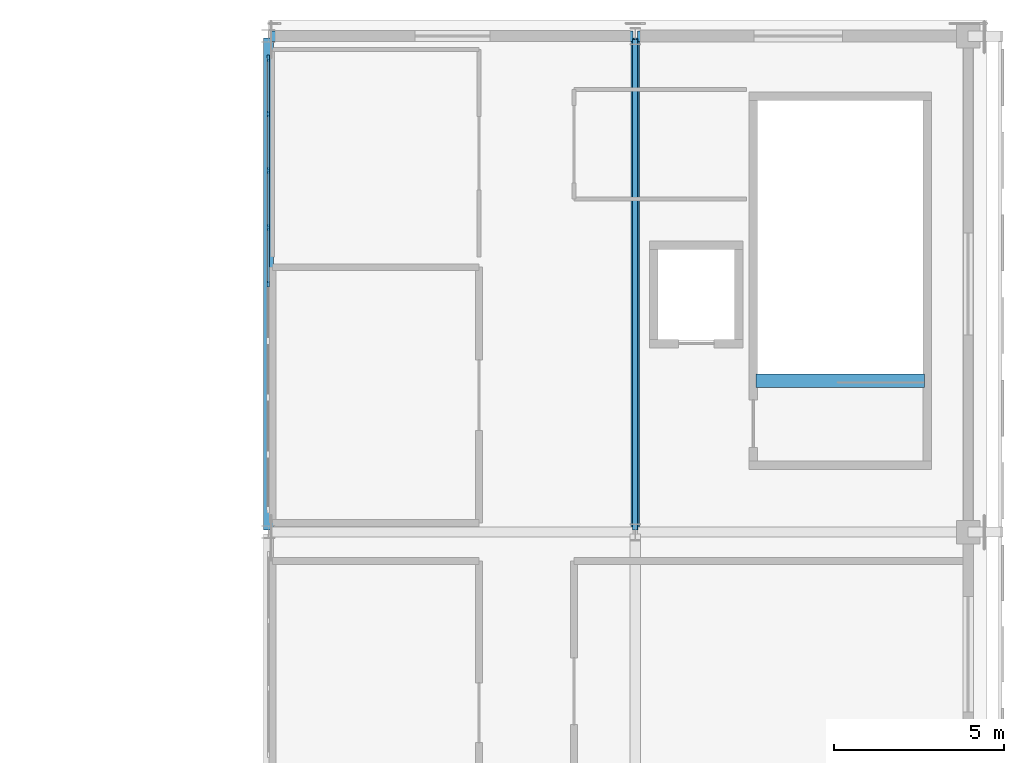
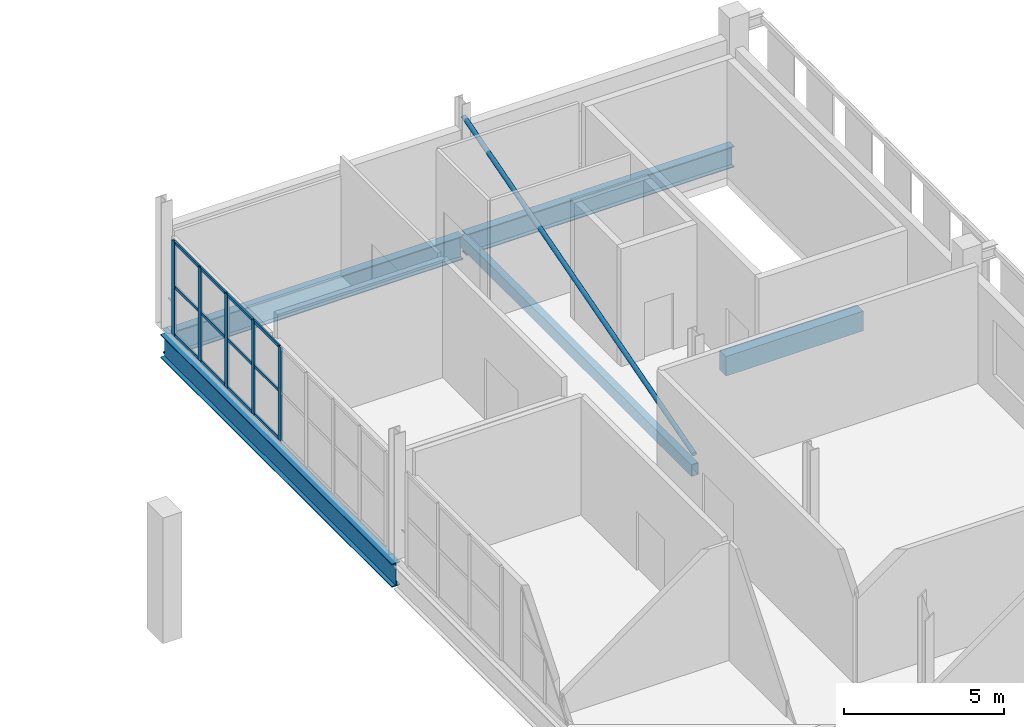
# One storey, part 22 of 51: 18 members, 5 beams, 1 element without a shape of its own.
"""IFC4 building model written with IfcOpenShell, lengths in metres."""

from ifc_helpers import new_model, si_unit, direction, frame, origin, origin_2d, place, context, subcontext, project, spatial, rectangle, hollow_rectangle, hollow_circle, i_section, extrude, material, material_profile, profile_set, type_object, element, aggregate, save


model = new_model("IFC4")

# Units and contexts
model_context = context("Model", 3, precision=1e-05, world=origin(), true_north=direction((0.0, 1.0)))
body_context = subcontext(model_context, "Body", "Model", "MODEL_VIEW")
ifc_project = project(units=[si_unit("LENGTHUNIT", "METRE"), si_unit("AREAUNIT", "SQUARE_METRE"), si_unit("VOLUMEUNIT", "CUBIC_METRE"), si_unit("PLANEANGLEUNIT", "RADIAN"), si_unit("MASSUNIT", "GRAM", prefix="KILO")], contexts=[model_context])

# Site, building, storey
site_placement = place(None, origin())
site = spatial("IfcSite", under=ifc_project, at=site_placement, CompositionType="ELEMENT")
building_placement = place(site_placement, origin())
building = spatial("IfcBuilding", under=site, at=building_placement, Name="Koshinbarg Plaza Stadium", CompositionType="ELEMENT")
storey_placement = place(building_placement, frame((0.0, 0.0, 24.60009765625)))
storey = spatial("IfcBuildingStorey", under=building, at=storey_placement, Name="L05", CompositionType="ELEMENT", Elevation=24.60009765625)

# Beams
ifc_material_1 = material(Name="Concrete C40/50", Category="concrete")
ifc_material_profile_1 = material_profile(ifc_material_1, rectangle(XDim=0.39990234375, YDim=0.75, at=origin_2d()), Name="RC 400x750")
ifc_profile_set_1 = profile_set([ifc_material_profile_1], Name="Concrete C40/50")
beam_type_1 = type_object("IfcBeamType", Name="BM-RCG-03", PredefinedType="USERDEFINED", material=ifc_profile_set_1)
beam_1_placement = place(storey_placement, frame((212.14990234375, 116.360107421875, -0.375), z_axis=(1.0, 0.0, 0.0), x_axis=(0.0, 1.0, 0.0)))
element("IfcBeam", 1, at=beam_1_placement, inside=storey, type_object=beam_type_1, Name="L05 stair landing header beam C10", ObjectType="GIRDER", PredefinedType="USERDEFINED", context=body_context, shape_type="SweptSolid", body=[
    extrude(rectangle(XDim=0.39990234375, YDim=0.75, at=origin_2d()), origin(), (0.0, 0.0, 1.0), 4.97021484375),
])
ifc_material_2 = material(Name="Steel S355", Category="steel")
ifc_material_profile_2 = material_profile(ifc_material_2, i_section(OverallWidth=0.300048828125, OverallDepth=0.800048828125, WebThickness=0.017578125, FlangeThickness=0.032958984375, at=origin_2d()), Name="HEB 800")
ifc_profile_set_2 = profile_set([ifc_material_profile_2], Name="Steel S355")
beam_type_2 = type_object("IfcBeamType", Name="BM-SGIR-04", PredefinedType="USERDEFINED", material=ifc_profile_set_2)
beam_2_placement = place(storey_placement, frame((208.659912109375, 126.5, -0.7001953125), z_axis=(1.0, 0.0, 0.0), x_axis=(0.0, 1.0, 0.0)))
element("IfcBeam", 2, at=beam_2_placement, inside=storey, type_object=beam_type_2, Name="L05 X girder R/20-21", ObjectType="GIRDER", PredefinedType="USERDEFINED", context=body_context, shape_type="SweptSolid", body=[
    extrude(i_section(OverallWidth=0.300048828125, OverallDepth=0.800048828125, WebThickness=0.017578125, FlangeThickness=0.032958984375, at=origin_2d()), origin(), (0.0, 0.0, 1.0), 9.68017578125),
])
ifc_material_profile_3 = material_profile(ifc_material_2, i_section(OverallWidth=0.300048828125, OverallDepth=0.89990234375, WebThickness=0.0185546875, FlangeThickness=0.034912109375, at=origin_2d()), Name="HEB 900")
ifc_profile_set_3 = profile_set([ifc_material_profile_3], Name="Steel S355")
beam_type_3 = type_object("IfcBeamType", Name="BM-SGIR-05", PredefinedType="USERDEFINED", material=ifc_profile_set_3)
beam_3_placement = place(storey_placement, frame((197.860107421875, 126.5, -0.75), z_axis=(1.0, 0.0, 0.0), x_axis=(0.0, 1.0, 0.0)))
element("IfcBeam", 3, at=beam_3_placement, inside=storey, type_object=beam_type_3, Name="L05 X girder R/19-20", ObjectType="GIRDER", PredefinedType="USERDEFINED", context=body_context, shape_type="SweptSolid", body=[
    extrude(i_section(OverallWidth=0.300048828125, OverallDepth=0.89990234375, WebThickness=0.0185546875, FlangeThickness=0.034912109375, at=origin_2d()), origin(), (0.0, 0.0, 1.0), 10.679931640625),
])
beam_4_placement = place(storey_placement, frame((197.800048828125, 111.9599609375, -0.75), z_axis=(0.0, 1.0, 0.0), x_axis=(-1.0, 0.0, 0.0)))
element("IfcBeam", 4, at=beam_4_placement, inside=storey, type_object=beam_type_3, Name="L05 Y girder 19/Q-R", ObjectType="GIRDER", PredefinedType="USERDEFINED", context=body_context, shape_type="SweptSolid", body=[
    extrude(i_section(OverallWidth=0.300048828125, OverallDepth=0.89990234375, WebThickness=0.0185546875, FlangeThickness=0.034912109375, at=origin_2d()), origin(), (0.0, 0.0, 1.0), 14.47998046875),
])
ifc_material_profile_4 = material_profile(ifc_material_2, hollow_rectangle(XDim=0.25, YDim=0.449951171875, WallThickness=0.01611328125, at=origin_2d()), Name="RHS 450x250x16")
ifc_profile_set_4 = profile_set([ifc_material_profile_4], Name="Steel S355")
beam_type_4 = type_object("IfcBeamType", Name="BM-SGIR-06", PredefinedType="USERDEFINED", material=ifc_profile_set_4)
beam_5_placement = place(storey_placement, frame((208.60009765625, 111.9599609375, -0.525146484375), z_axis=(0.0, 1.0, 0.0), x_axis=(-1.0, 0.0, 0.0)))
element("IfcBeam", 5, at=beam_5_placement, inside=storey, type_object=beam_type_4, Name="L05 Y girder 20/Q-R", ObjectType="GIRDER", PredefinedType="USERDEFINED", context=body_context, shape_type="SweptSolid", body=[
    extrude(hollow_rectangle(XDim=0.25, YDim=0.449951171875, WallThickness=0.01611328125, at=origin_2d()), origin(), (0.0, 0.0, 1.0), 14.47998046875),
])

# Curtain wall, members
ifc_material_3 = material(Name="Thermally broken anodised aluminium and low-E double glazing", Category="aluminium")
curtain_wall_type = type_object("IfcCurtainWallType", Name="CW-SYS-07", PredefinedType="NOTDEFINED", material=ifc_material_3)
curtain_wall_placement = place(storey_placement, origin())
curtain_wall = element("IfcCurtainWall", 6, at=curtain_wall_placement, inside=storey, type_object=curtain_wall_type, Name="L05 unitised curtain wall CW-L05-150", PredefinedType="NOTDEFINED")
ifc_material_4 = material(Name="Anodised aluminium mullion", Category="aluminium")
ifc_material_profile_5 = material_profile(ifc_material_4, rectangle(XDim=0.070068359375, YDim=0.179931640625, at=origin_2d()), Name="ALU 70x180")
ifc_profile_set_5 = profile_set([ifc_material_profile_5], Name="Anodised aluminium mullion")
member_type_1 = type_object("IfcMemberType", Name="CW-MUL-03", PredefinedType="MULLION", material=ifc_profile_set_5)
member_1_placement = place(storey_placement, frame((197.800048828125, 119.199951171875, 0.0), z_axis=(0.0, 0.0, 1.0), x_axis=(-1.0, 0.0, 0.0)))
member_1 = element("IfcMember", 7, at=member_1_placement, type_object=member_type_1, Name="CW07 mullion 5", PredefinedType="MULLION", context=body_context, shape_type="SweptSolid", body=[
    extrude(rectangle(XDim=0.070068359375, YDim=0.179931640625, at=origin_2d()), origin(), (0.0, 0.0, 1.0), 3.579833984375),
])
member_2_placement = place(storey_placement, frame((197.800048828125, 120.8701171875, 0.0), z_axis=(0.0, 0.0, 1.0), x_axis=(-1.0, 0.0, 0.0)))
member_2 = element("IfcMember", 8, at=member_2_placement, type_object=member_type_1, Name="CW07 mullion 6", PredefinedType="MULLION", context=body_context, shape_type="SweptSolid", body=[
    extrude(rectangle(XDim=0.070068359375, YDim=0.179931640625, at=origin_2d()), origin(), (0.0, 0.0, 1.0), 3.579833984375),
])
member_3_placement = place(storey_placement, frame((197.800048828125, 122.5400390625, 0.0), z_axis=(0.0, 0.0, 1.0), x_axis=(-1.0, 0.0, 0.0)))
member_3 = element("IfcMember", 9, at=member_3_placement, type_object=member_type_1, Name="CW07 mullion 7", PredefinedType="MULLION", context=body_context, shape_type="SweptSolid", body=[
    extrude(rectangle(XDim=0.070068359375, YDim=0.179931640625, at=origin_2d()), origin(), (0.0, 0.0, 1.0), 3.579833984375),
])
member_4_placement = place(storey_placement, frame((197.800048828125, 124.2099609375, 0.0), z_axis=(0.0, 0.0, 1.0), x_axis=(-1.0, 0.0, 0.0)))
member_4 = element("IfcMember", 10, at=member_4_placement, type_object=member_type_1, Name="CW07 mullion 8", PredefinedType="MULLION", context=body_context, shape_type="SweptSolid", body=[
    extrude(rectangle(XDim=0.070068359375, YDim=0.179931640625, at=origin_2d()), origin(), (0.0, 0.0, 1.0), 3.579833984375),
])
member_5_placement = place(storey_placement, frame((197.800048828125, 125.85009765625, 0.0), z_axis=(0.0, 0.0, 1.0), x_axis=(-1.0, 0.0, 0.0)))
member_5 = element("IfcMember", 11, at=member_5_placement, type_object=member_type_1, Name="CW07 mullion 9", PredefinedType="MULLION", context=body_context, shape_type="SweptSolid", body=[
    extrude(rectangle(XDim=0.070068359375, YDim=0.179931640625, at=origin_2d()), origin(), (0.0, 0.0, 1.0), 3.579833984375),
])
ifc_material_5 = material(Name="Anodised aluminium transom", Category="aluminium")
ifc_material_profile_6 = material_profile(ifc_material_5, rectangle(XDim=0.06005859375, YDim=0.110107421875, at=origin_2d()), Name="ALU 60x110")
ifc_profile_set_6 = profile_set([ifc_material_profile_6], Name="Anodised aluminium transom")
member_type_2 = type_object("IfcMemberType", Name="CW-TRN-01", PredefinedType="USERDEFINED", material=ifc_profile_set_6)
member_6_placement = place(storey_placement, frame((197.800048828125, 119.22998046875, 0.02978515625), z_axis=(0.0, 1.0, 0.0), x_axis=(-1.0, 0.0, 0.0)))
member_6 = element("IfcMember", 12, at=member_6_placement, type_object=member_type_2, Name="CW07 transom 5.1", ObjectType="TRANSOM", PredefinedType="USERDEFINED", context=body_context, shape_type="SweptSolid", body=[
    extrude(rectangle(XDim=0.06005859375, YDim=0.110107421875, at=origin_2d()), origin(), (0.0, 0.0, 1.0), 1.610107421875),
])
member_7_placement = place(storey_placement, frame((197.800048828125, 119.22998046875, 1.861572265625), z_axis=(0.0, 1.0, 0.0), x_axis=(-1.0, 0.0, 0.0)))
member_7 = element("IfcMember", 13, at=member_7_placement, type_object=member_type_2, Name="CW07 transom 5.2", ObjectType="TRANSOM", PredefinedType="USERDEFINED", context=body_context, shape_type="SweptSolid", body=[
    extrude(rectangle(XDim=0.06005859375, YDim=0.110107421875, at=origin_2d()), origin(), (0.0, 0.0, 1.0), 1.610107421875),
])
member_8_placement = place(storey_placement, frame((197.800048828125, 119.22998046875, 3.5498046875), z_axis=(0.0, 1.0, 0.0), x_axis=(-1.0, 0.0, 0.0)))
member_8 = element("IfcMember", 14, at=member_8_placement, type_object=member_type_2, Name="CW07 transom 5.3", ObjectType="TRANSOM", PredefinedType="USERDEFINED", context=body_context, shape_type="SweptSolid", body=[
    extrude(rectangle(XDim=0.06005859375, YDim=0.110107421875, at=origin_2d()), origin(), (0.0, 0.0, 1.0), 1.610107421875),
])
member_9_placement = place(storey_placement, frame((197.800048828125, 120.89990234375, 0.02978515625), z_axis=(0.0, 1.0, 0.0), x_axis=(-1.0, 0.0, 0.0)))
member_9 = element("IfcMember", 15, at=member_9_placement, type_object=member_type_2, Name="CW07 transom 6.1", ObjectType="TRANSOM", PredefinedType="USERDEFINED", context=body_context, shape_type="SweptSolid", body=[
    extrude(rectangle(XDim=0.06005859375, YDim=0.110107421875, at=origin_2d()), origin(), (0.0, 0.0, 1.0), 1.610107421875),
])
member_10_placement = place(storey_placement, frame((197.800048828125, 120.89990234375, 1.861572265625), z_axis=(0.0, 1.0, 0.0), x_axis=(-1.0, 0.0, 0.0)))
member_10 = element("IfcMember", 16, at=member_10_placement, type_object=member_type_2, Name="CW07 transom 6.2", ObjectType="TRANSOM", PredefinedType="USERDEFINED", context=body_context, shape_type="SweptSolid", body=[
    extrude(rectangle(XDim=0.06005859375, YDim=0.110107421875, at=origin_2d()), origin(), (0.0, 0.0, 1.0), 1.610107421875),
])
member_11_placement = place(storey_placement, frame((197.800048828125, 120.89990234375, 3.5498046875), z_axis=(0.0, 1.0, 0.0), x_axis=(-1.0, 0.0, 0.0)))
member_11 = element("IfcMember", 17, at=member_11_placement, type_object=member_type_2, Name="CW07 transom 6.3", ObjectType="TRANSOM", PredefinedType="USERDEFINED", context=body_context, shape_type="SweptSolid", body=[
    extrude(rectangle(XDim=0.06005859375, YDim=0.110107421875, at=origin_2d()), origin(), (0.0, 0.0, 1.0), 1.610107421875),
])
member_12_placement = place(storey_placement, frame((197.800048828125, 122.570068359375, 0.02978515625), z_axis=(0.0, 1.0, 0.0), x_axis=(-1.0, 0.0, 0.0)))
member_12 = element("IfcMember", 18, at=member_12_placement, type_object=member_type_2, Name="CW07 transom 7.1", ObjectType="TRANSOM", PredefinedType="USERDEFINED", context=body_context, shape_type="SweptSolid", body=[
    extrude(rectangle(XDim=0.06005859375, YDim=0.110107421875, at=origin_2d()), origin(), (0.0, 0.0, 1.0), 1.60986328125),
])
member_13_placement = place(storey_placement, frame((197.800048828125, 122.570068359375, 1.861572265625), z_axis=(0.0, 1.0, 0.0), x_axis=(-1.0, 0.0, 0.0)))
member_13 = element("IfcMember", 19, at=member_13_placement, type_object=member_type_2, Name="CW07 transom 7.2", ObjectType="TRANSOM", PredefinedType="USERDEFINED", context=body_context, shape_type="SweptSolid", body=[
    extrude(rectangle(XDim=0.06005859375, YDim=0.110107421875, at=origin_2d()), origin(), (0.0, 0.0, 1.0), 1.60986328125),
])
member_14_placement = place(storey_placement, frame((197.800048828125, 122.570068359375, 3.5498046875), z_axis=(0.0, 1.0, 0.0), x_axis=(-1.0, 0.0, 0.0)))
member_14 = element("IfcMember", 20, at=member_14_placement, type_object=member_type_2, Name="CW07 transom 7.3", ObjectType="TRANSOM", PredefinedType="USERDEFINED", context=body_context, shape_type="SweptSolid", body=[
    extrude(rectangle(XDim=0.06005859375, YDim=0.110107421875, at=origin_2d()), origin(), (0.0, 0.0, 1.0), 1.60986328125),
])
member_15_placement = place(storey_placement, frame((197.800048828125, 124.239990234375, 0.02978515625), z_axis=(0.0, 1.0, 0.0), x_axis=(-1.0, 0.0, 0.0)))
member_15 = element("IfcMember", 21, at=member_15_placement, type_object=member_type_2, Name="CW07 transom 8.1", ObjectType="TRANSOM", PredefinedType="USERDEFINED", context=body_context, shape_type="SweptSolid", body=[
    extrude(rectangle(XDim=0.06005859375, YDim=0.110107421875, at=origin_2d()), origin(), (0.0, 0.0, 1.0), 1.580078125),
])
member_16_placement = place(storey_placement, frame((197.800048828125, 124.239990234375, 1.861572265625), z_axis=(0.0, 1.0, 0.0), x_axis=(-1.0, 0.0, 0.0)))
member_16 = element("IfcMember", 22, at=member_16_placement, type_object=member_type_2, Name="CW07 transom 8.2", ObjectType="TRANSOM", PredefinedType="USERDEFINED", context=body_context, shape_type="SweptSolid", body=[
    extrude(rectangle(XDim=0.06005859375, YDim=0.110107421875, at=origin_2d()), origin(), (0.0, 0.0, 1.0), 1.580078125),
])
member_17_placement = place(storey_placement, frame((197.800048828125, 124.239990234375, 3.5498046875), z_axis=(0.0, 1.0, 0.0), x_axis=(-1.0, 0.0, 0.0)))
member_17 = element("IfcMember", 23, at=member_17_placement, type_object=member_type_2, Name="CW07 transom 8.3", ObjectType="TRANSOM", PredefinedType="USERDEFINED", context=body_context, shape_type="SweptSolid", body=[
    extrude(rectangle(XDim=0.06005859375, YDim=0.110107421875, at=origin_2d()), origin(), (0.0, 0.0, 1.0), 1.580078125),
])
aggregate(curtain_wall, [member_1, member_2, member_3, member_4, member_5, member_6, member_7, member_8, member_9, member_10, member_11, member_12, member_13, member_14, member_15, member_16, member_17])

# Member
ifc_material_profile_7 = material_profile(ifc_material_2, hollow_circle(Radius=0.084228515625, WallThickness=0.008056640625, at=origin_2d()), Name="CHS 168.3x8")
ifc_profile_set_7 = profile_set([ifc_material_profile_7], Name="Steel S355")
member_type_3 = type_object("IfcMemberType", Name="MB-BRACE-04", PredefinedType="BRACE", material=ifc_profile_set_7)
member_18_placement = place(storey_placement, frame((208.60009765625, 111.97998046875, 0.0498046875), z_axis=(0.0, 0.961092925393, 0.276225250038), x_axis=(-1.0, 0.0, 0.0)))
element("IfcMember", 24, at=member_18_placement, inside=storey, type_object=member_type_3, Name="L05 lateral frame brace 24", PredefinedType="BRACE", context=body_context, shape_type="SweptSolid", body=[
    extrude(hollow_circle(Radius=0.084228515625, WallThickness=0.008056640625, at=origin_2d()), origin(), (0.0, 0.0, 1.0), 15.0244140625),
])

save(model, "model.ifc")
